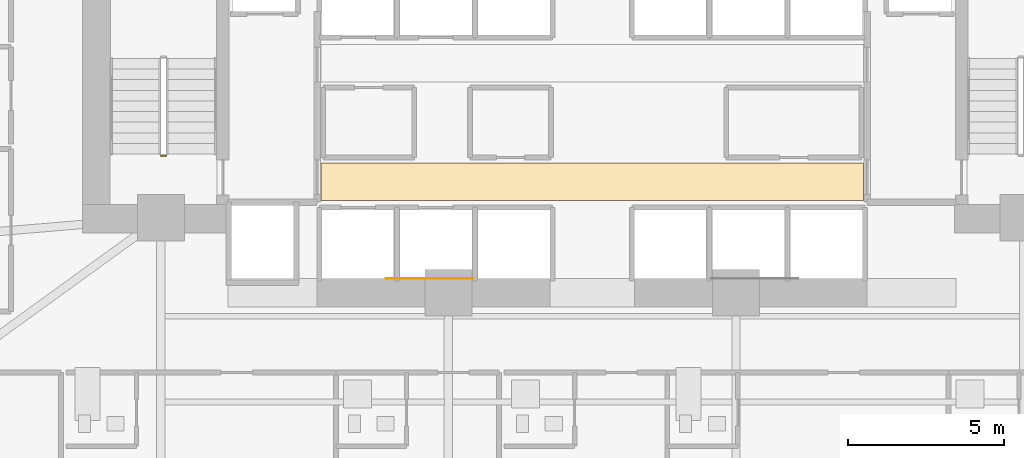
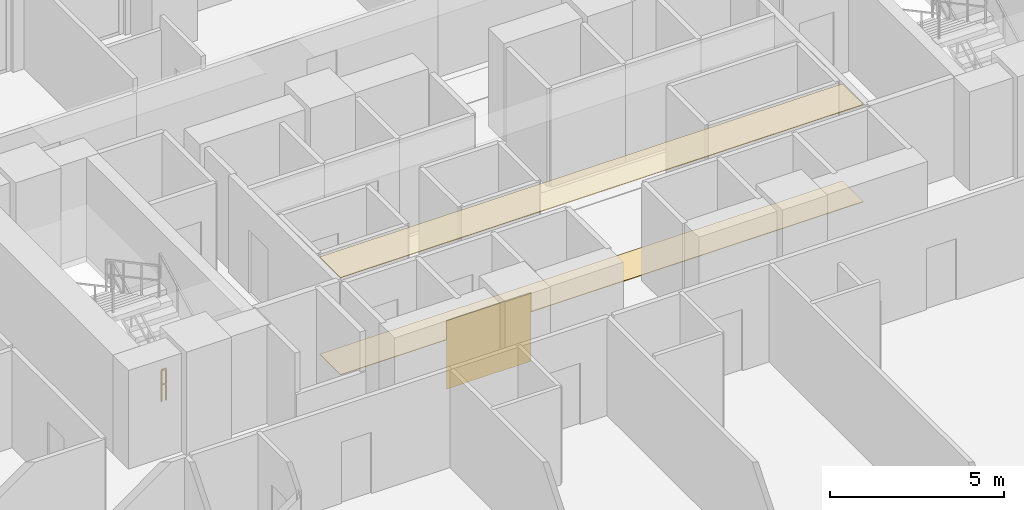
# One storey, part 24 of 29: 3 coverings, 1 railing.
"""IFC4 building model written with IfcOpenShell, lengths in metres."""

from ifc_helpers import new_model, si_unit, direction, frame, origin, origin_2d, place, context, subcontext, project, spatial, polyline, rectangle, outline, extrude, material, layer, layer_set, type_object, element, save


model = new_model("IFC4")

# Units and contexts
model_context = context("Model", 3, precision=1e-05, world=origin(), true_north=direction((0.0, 1.0)))
body_context = subcontext(model_context, "Body", "Model", "MODEL_VIEW")
ifc_project = project(units=[si_unit("LENGTHUNIT", "METRE"), si_unit("AREAUNIT", "SQUARE_METRE"), si_unit("VOLUMEUNIT", "CUBIC_METRE"), si_unit("PLANEANGLEUNIT", "RADIAN"), si_unit("MASSUNIT", "GRAM", prefix="KILO")], contexts=[model_context])

# Site, building, storey
site_placement = place(None, origin())
site = spatial("IfcSite", under=ifc_project, at=site_placement, CompositionType="ELEMENT")
building_placement = place(site_placement, origin())
building = spatial("IfcBuilding", under=site, at=building_placement, Name="Zuhayl Quay Hotel", CompositionType="ELEMENT")
storey_placement = place(building_placement, frame((0.0, 0.0, 42.199951171875)))
storey = spatial("IfcBuildingStorey", under=building, at=storey_placement, Name="L09", CompositionType="ELEMENT", Elevation=42.199951171875)

# Coverings
ifc_material_1 = material(Name="Acoustic Mineral-Fibre Gypsum Board")
ifc_layer_1 = layer(ifc_material_1, 0.02490234375, Name="Acoustic Mineral-Fibre Gypsum Board")
ifc_layer_set_1 = layer_set([ifc_layer_1], Name="Acoustic Mineral-Fibre Gypsum Board")
covering_type_1 = type_object("IfcCoveringType", Name="CV_CEIL_ACOUSTIC", PredefinedType="CEILING", material=ifc_layer_set_1)
covering_1_placement = place(storey_placement, frame((0.0, 0.0, 3.405029296875)))
element("IfcCovering", 1, at=covering_1_placement, inside=storey, type_object=covering_type_1, Name="L09 Suspended Acoustic Lobby Ceiling S", PredefinedType="CEILING", context=body_context, shape_type="SweptSolid", body=[
    extrude(outline(polyline([(-8.679931640625, 5.10009765625), (8.679931640625, 5.10009765625), (8.679931640625, 6.300048828125), (-8.679931640625, 6.300048828125), (-8.679931640625, 5.10009765625)])), origin(), (0.0, 0.0, 1.0), 0.02490234375),
])
ifc_material_2 = material(Name="Polished Limestone Terrazzo", Category="masonry")
ifc_layer_2 = layer(ifc_material_2, 0.02001953125, Name="Polished Limestone Terrazzo", Category="masonry")
ifc_layer_set_2 = layer_set([ifc_layer_2], Name="Polished Limestone Terrazzo")
covering_type_2 = type_object("IfcCoveringType", Name="CV_FLOOR_TERRAZZO", PredefinedType="FLOORING", material=ifc_layer_set_2)
covering_2_placement = place(storey_placement, origin())
element("IfcCovering", 2, at=covering_2_placement, inside=storey, type_object=covering_type_2, Name="L09 Honed Limestone Terrazzo Lobby Flooring S", PredefinedType="FLOORING", context=body_context, shape_type="SweptSolid", body=[
    extrude(outline(polyline([(-8.679931640625, 5.10009765625), (8.679931640625, 5.10009765625), (8.679931640625, 6.300048828125), (-8.679931640625, 6.300048828125), (-8.679931640625, 5.10009765625)])), origin(), (0.0, 0.0, 1.0), 0.02001953125),
])
ifc_material_3 = material(Name="Acoustic Walnut Feature Timber", Category="wood")
ifc_layer_3 = layer(ifc_material_3, 0.02197265625, Name="Acoustic Walnut Feature Timber", Category="wood")
ifc_layer_set_3 = layer_set([ifc_layer_3], Name="Acoustic Walnut Feature Timber")
covering_type_3 = type_object("IfcCoveringType", Name="CV_WALL_CLAD", PredefinedType="CLADDING", material=ifc_layer_set_3)
covering_3_placement = place(storey_placement, frame((-5.199951171875, 2.611083984375, 0.300048828125), z_axis=(0.0, 0.0, 1.0), x_axis=(1.0, 0.0, 0.0)))
element("IfcCovering", 3, at=covering_3_placement, inside=storey, type_object=covering_type_3, Name="L09 Feature Lobby Walnut Wall Cladding W", PredefinedType="CLADDING", context=body_context, shape_type="SweptSolid", body=[
    extrude(rectangle(XDim=2.800048828125, YDim=0.02197265625, at=origin_2d()), origin(), (0.0, 0.0, 1.0), 2.39990234375),
])

# Railing
ifc_material_4 = material(Name="Steel ASTM A992 Grade 50", Category="steel")
railing_type = type_object("IfcRailingType", Name="RL_GUARD_1100", PredefinedType="GUARDRAIL", material=ifc_material_4)
railing_placement = place(storey_placement, frame((-13.639892578125, 6.5400390625, 0.0)))
element("IfcRailing", 4, at=railing_placement, inside=storey, type_object=railing_type, Name="L09 ST1 stair guard 4", PredefinedType="GUARDRAIL", context=body_context, shape_type="SweptSolid", body=[
    extrude(rectangle(XDim=0.048095703125, YDim=0.048095703125, at=origin_2d()), frame((0.0, 0.0, 1.09619140625), z_axis=(-1.0, 0.0, 0.0), x_axis=(0.0, -1.0, 0.0)), (0.0, 0.0, 1.0), 0.150146484375),
    extrude(rectangle(XDim=0.0361328125, YDim=0.0361328125, at=origin_2d()), frame((0.0, 0.0, 0.58251953125), z_axis=(-1.0, 0.0, 0.0), x_axis=(0.0, -1.0, 0.0)), (0.0, 0.0, 1.0), 0.150146484375),
    extrude(rectangle(XDim=0.0419921875, YDim=0.0419921875, at=origin_2d()), origin(), (0.0, 0.0, 1.0), 1.072021484375),
    extrude(rectangle(XDim=0.0419921875, YDim=0.0419921875, at=origin_2d()), frame((-0.150146484375, 0.0, 0.0)), (0.0, 0.0, 1.0), 1.072021484375),
])

save(model, "model.ifc")
